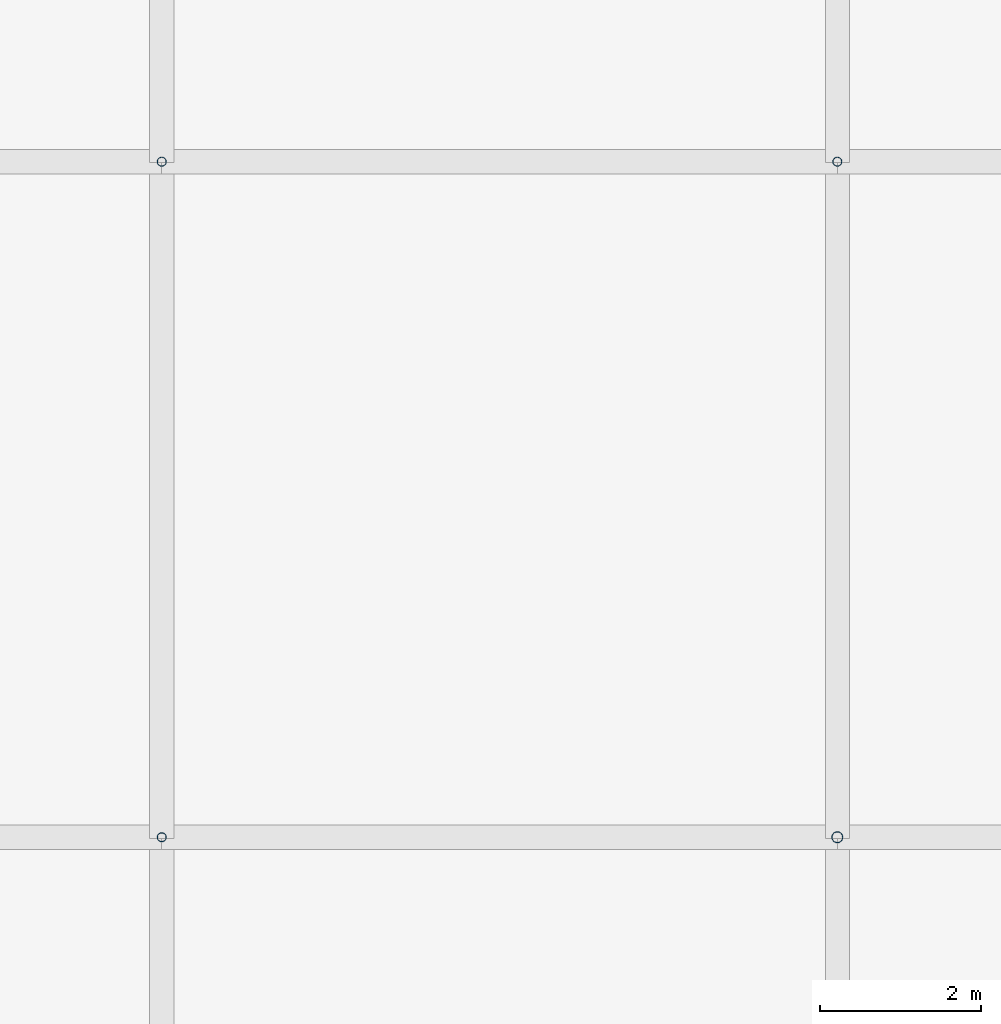
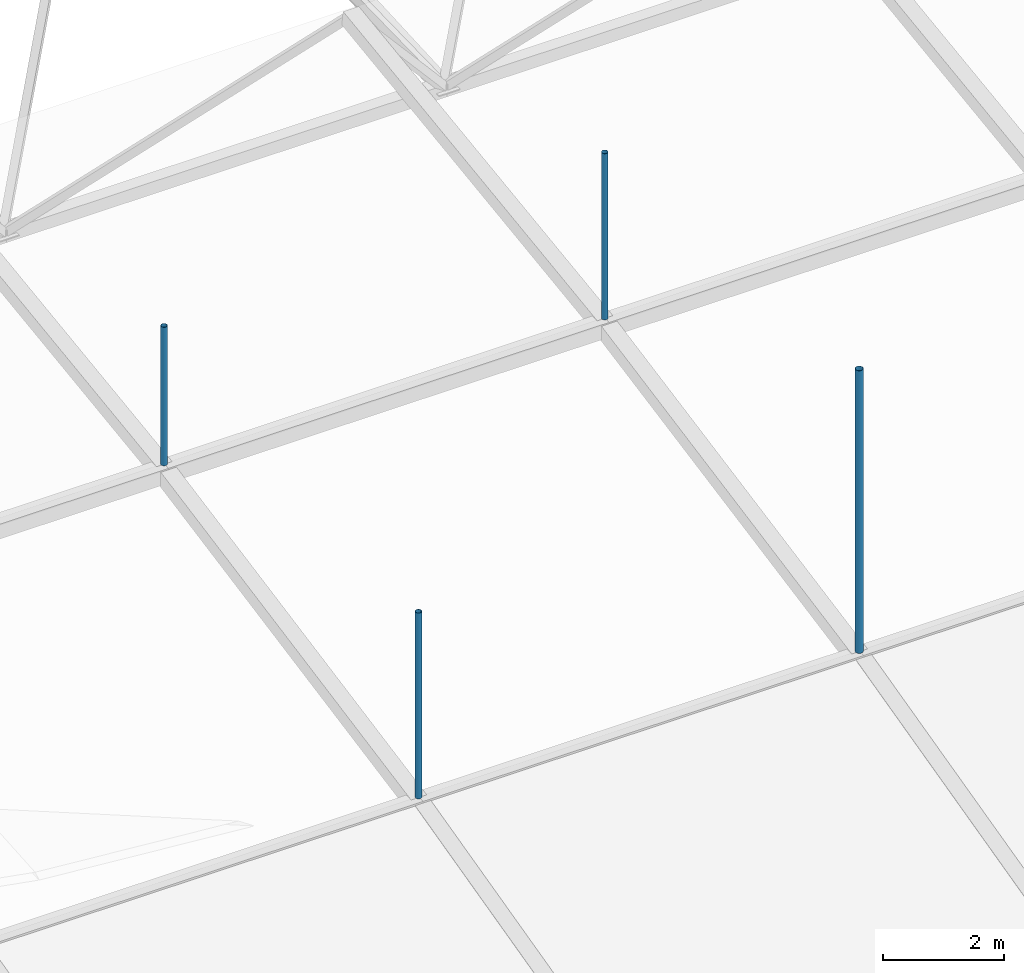
# One storey, part 29 of 111: 4 discrete accessories.
"""IFC4 building model written with IfcOpenShell, lengths in metres."""

from ifc_helpers import new_model, si_unit, direction, frame, origin, origin_2d, place, context, subcontext, project, spatial, hollow_circle, extrude, material, material_profile, profile_set, type_object, element, save


model = new_model("IFC4")

# Units and contexts
model_context = context("Model", 3, precision=1e-05, world=origin(), true_north=direction((0.0, 1.0)))
body_context = subcontext(model_context, "Body", "Model", "MODEL_VIEW")
ifc_project = project(units=[si_unit("LENGTHUNIT", "METRE"), si_unit("AREAUNIT", "SQUARE_METRE"), si_unit("VOLUMEUNIT", "CUBIC_METRE"), si_unit("PLANEANGLEUNIT", "RADIAN"), si_unit("MASSUNIT", "GRAM", prefix="KILO")], contexts=[model_context])

# Site, building, storey
site_placement = place(None, origin())
site = spatial("IfcSite", under=ifc_project, at=site_placement, CompositionType="ELEMENT")
building_placement = place(site_placement, origin())
building = spatial("IfcBuilding", under=site, at=building_placement, Name="Rain Tree Exposition and Congress Centre", CompositionType="ELEMENT")
storey_placement = place(building_placement, frame((0.0, 0.0, 19.5)))
storey = spatial("IfcBuildingStorey", under=building, at=storey_placement, Name="RF", CompositionType="ELEMENT", Elevation=19.5)

# Discrete accessories
ifc_material_1 = material(Name="Steel S355J2H", Category="steel")
ifc_material_profile_1 = material_profile(ifc_material_1, hollow_circle(Radius=0.05712890625, WallThickness=0.00439453125, at=origin_2d()), Name="CHS 114x4.5")
ifc_profile_set_1 = profile_set([ifc_material_profile_1], Name="Steel S355J2H")
discrete_accessory_type_1 = type_object("IfcDiscreteAccessoryType", Name="Roof skin post CHS 114x4.5", PredefinedType="BRACKET", material=ifc_profile_set_1)
discrete_accessory_1_placement = place(storey_placement, frame((50.39990234375, 117.60009765625, 3.22412109375), z_axis=(0.0, 0.0, 1.0), x_axis=(1.0, 0.0, 0.0)))
element("IfcDiscreteAccessory", 1, at=discrete_accessory_1_placement, inside=storey, type_object=discrete_accessory_type_1, Name="Roof skin post A36", PredefinedType="BRACKET", context=body_context, shape_type="SweptSolid", body=[
    extrude(hollow_circle(Radius=0.05712890625, WallThickness=0.00439453125, at=origin_2d()), origin(), (0.0, 0.0, 1.0), 3.7451171875),
])
discrete_accessory_2_placement = place(storey_placement, frame((50.39990234375, 126.0, 4.843017578125), z_axis=(0.0, 0.0, 1.0), x_axis=(1.0, 0.0, 0.0)))
element("IfcDiscreteAccessory", 2, at=discrete_accessory_2_placement, inside=storey, type_object=discrete_accessory_type_1, Name="Roof skin post A51", PredefinedType="BRACKET", context=body_context, shape_type="SweptSolid", body=[
    extrude(hollow_circle(Radius=0.05712890625, WallThickness=0.00439453125, at=origin_2d()), origin(), (0.0, 0.0, 1.0), 2.789794921875),
])
discrete_accessory_3_placement = place(storey_placement, frame((58.800048828125, 126.0, 4.843017578125), z_axis=(0.0, 0.0, 1.0), x_axis=(1.0, 0.0, 0.0)))
element("IfcDiscreteAccessory", 3, at=discrete_accessory_3_placement, inside=storey, type_object=discrete_accessory_type_1, Name="Roof skin post A52", PredefinedType="BRACKET", context=body_context, shape_type="SweptSolid", body=[
    extrude(hollow_circle(Radius=0.05712890625, WallThickness=0.00439453125, at=origin_2d()), origin(), (0.0, 0.0, 1.0), 3.346923828125),
])
ifc_material_2 = material(Name="Steel S355J2H", Category="steel")
ifc_material_profile_2 = material_profile(ifc_material_2, hollow_circle(Radius=0.06982421875, WallThickness=0.0048828125, at=origin_2d()), Name="CHS 140x5")
ifc_profile_set_2 = profile_set([ifc_material_profile_2], Name="Steel S355J2H")
discrete_accessory_type_2 = type_object("IfcDiscreteAccessoryType", Name="Roof skin post CHS 140x5", PredefinedType="BRACKET", material=ifc_profile_set_2)
discrete_accessory_4_placement = place(storey_placement, frame((58.800048828125, 117.60009765625, 3.22412109375), z_axis=(0.0, 0.0, 1.0), x_axis=(1.0, 0.0, 0.0)))
element("IfcDiscreteAccessory", 4, at=discrete_accessory_4_placement, inside=storey, type_object=discrete_accessory_type_2, Name="Roof skin post A37", PredefinedType="BRACKET", context=body_context, shape_type="SweptSolid", body=[
    extrude(hollow_circle(Radius=0.06982421875, WallThickness=0.0048828125, at=origin_2d()), origin(), (0.0, 0.0, 1.0), 5.69482421875),
])

save(model, "model.ifc")
